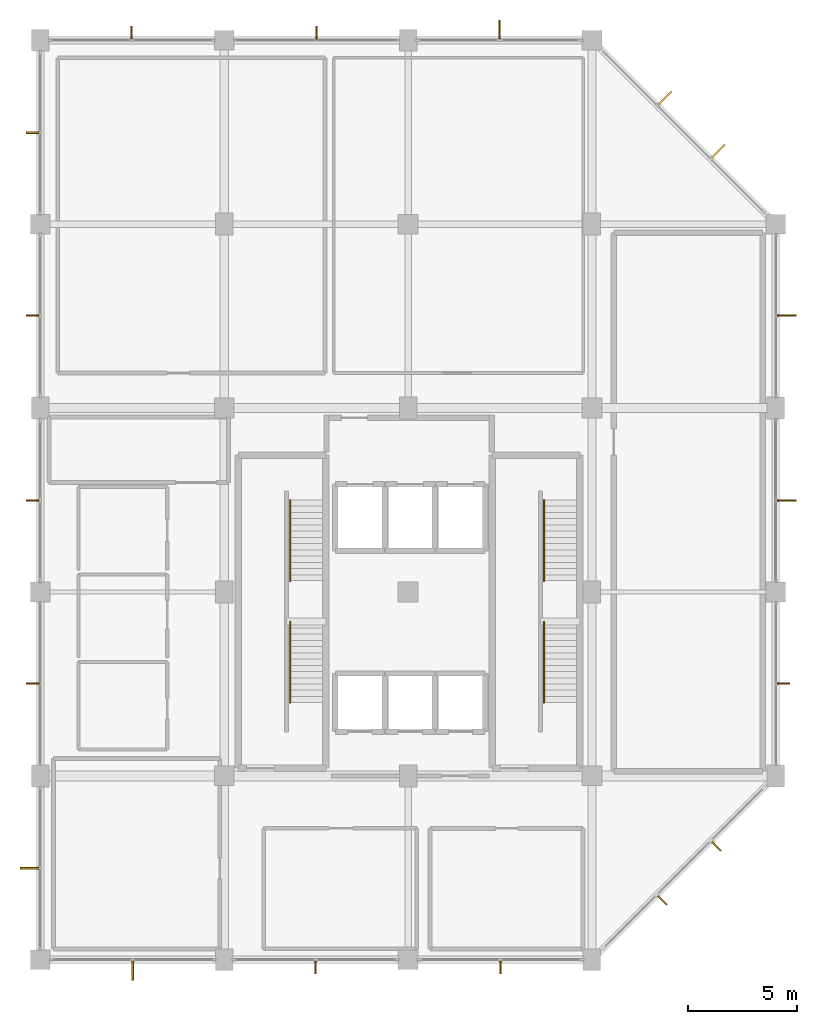
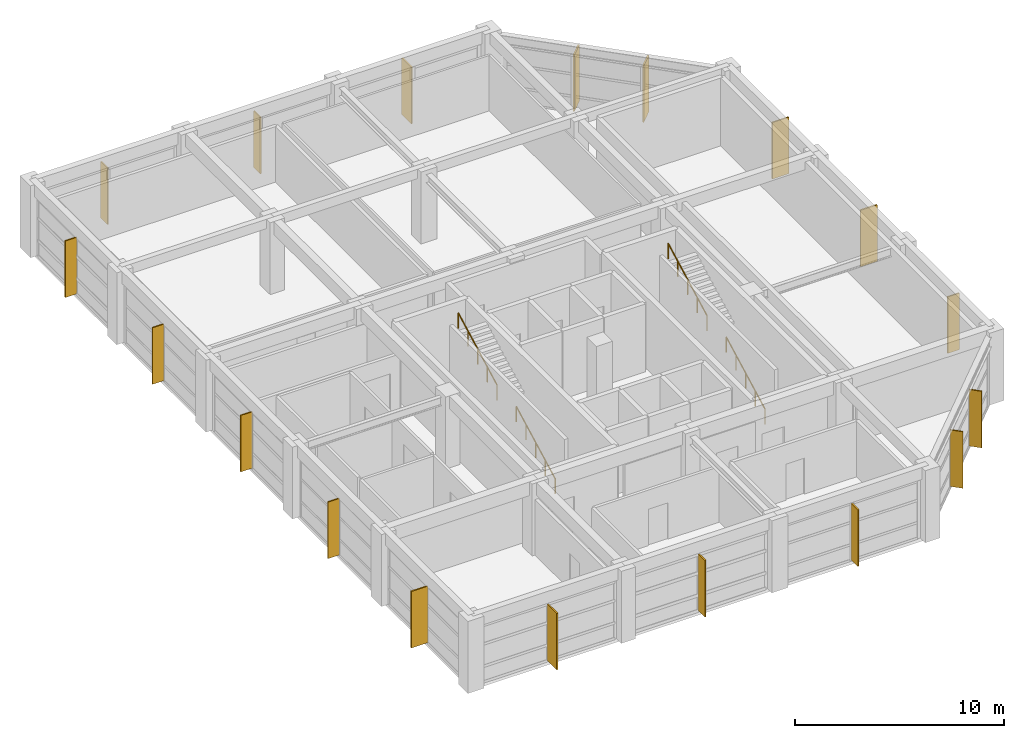
# One storey, part 12 of 12: 18 shading devices, 4 railings.
"""IFC4 building model written with IfcOpenShell, lengths in metres."""

from ifc_helpers import new_model, si_unit, direction, frame, origin, origin_2d, place, context, subcontext, project, spatial, rectangle, circle, extrude, material, type_object, element, save


model = new_model("IFC4")

# Units and contexts
model_context = context("Model", 3, precision=1e-05, world=origin(), true_north=direction((0.0, 1.0)))
body_context = subcontext(model_context, "Body", "Model", "MODEL_VIEW")
ifc_project = project(units=[si_unit("LENGTHUNIT", "METRE"), si_unit("AREAUNIT", "SQUARE_METRE"), si_unit("VOLUMEUNIT", "CUBIC_METRE"), si_unit("PLANEANGLEUNIT", "RADIAN"), si_unit("MASSUNIT", "GRAM", prefix="KILO")], contexts=[model_context])

# Site, building, storey
site_placement = place(None, origin())
site = spatial("IfcSite", under=ifc_project, at=site_placement, CompositionType="ELEMENT")
building_placement = place(site_placement, origin())
building = spatial("IfcBuilding", under=site, at=building_placement, Name="Xuanlan Plaza Opera House", CompositionType="ELEMENT")
storey_placement = place(building_placement, frame((0.0, 0.0, 61.5)))
storey = spatial("IfcBuildingStorey", under=building, at=storey_placement, Name="L14", CompositionType="ELEMENT", Elevation=61.5)

# Shading devices
ifc_material_1 = material(Name="Anodised Aluminium 6063-T6", Category="aluminium")
shading_device_type_1 = type_object("IfcShadingDeviceType", Name="ENV-SHD-BRS01", PredefinedType="JALOUSIE", material=ifc_material_1)
for number, where, z_axis, x_axis, name in (
    (1, (138.574951171875, 41.675048828125, 0.0400390625), (0.0, 0.0, 1.0), (0.0, -1.0, 0.0), "Parametric Sunshade Fin L14-0440"),
    (2, (147.02490234375, 41.675048828125, 0.0400390625), (0.0, 0.0, 1.0), (0.0, -1.0, 0.0), "Parametric Sunshade Fin L14-0441"),
    (3, (154.39599609375, 44.736572265625, 0.0400390625), (0.0, 0.0, 1.0), (0.707106781187, -0.707106781187, 0.0), "Parametric Sunshade Fin L14-0442"),
    (4, (156.863525390625, 47.203857421875, 0.0400390625), (0.0, 0.0, 1.0), (0.707106781187, -0.707106781187, 0.0), "Parametric Sunshade Fin L14-0443"),
    (5, (159.925048828125, 54.625, 0.0400390625), (0.0, 0.0, 1.0), (1.0, 0.0, 0.0), "Parametric Sunshade Fin L14-0444"),
    (6, (138.625, 84.324951171875, 0.0400390625), (0.0, 0.0, 1.0), (0.0, 1.0, 0.0), "Parametric Sunshade Fin L14-0450"),
    (7, (130.175048828125, 84.324951171875, 0.0400390625), (0.0, 0.0, 1.0), (0.0, 1.0, 0.0), "Parametric Sunshade Fin L14-0451"),
    (8, (125.675048828125, 79.77490234375, 0.0400390625), (0.0, 0.0, 1.0), (-1.0, 0.0, 0.0), "Parametric Sunshade Fin L14-0452"),
    (9, (125.675048828125, 71.425048828125, 0.0400390625), (0.0, 0.0, 1.0), (-1.0, 0.0, 0.0), "Parametric Sunshade Fin L14-0453"),
    (10, (125.675048828125, 62.97509765625, 0.0400390625), (0.0, 0.0, 1.0), (-1.0, 0.0, 0.0), "Parametric Sunshade Fin L14-0454"),
    (11, (125.675048828125, 54.625, 0.0400390625), (0.0, 0.0, 1.0), (-1.0, 0.0, 0.0), "Parametric Sunshade Fin L14-0455"),
):
    element("IfcShadingDevice", number, at=place(storey_placement, frame(where, z_axis=z_axis, x_axis=x_axis)), inside=storey, type_object=shading_device_type_1, Name=name, PredefinedType="JALOUSIE", context=body_context, shape_type="SweptSolid", body=[
        extrude(rectangle(XDim=0.639892578125, YDim=0.070068359375, at=origin_2d()), origin(), (0.0, 0.0, 1.0), 3.300048828125),
    ])
shading_device_type_2 = type_object("IfcShadingDeviceType", Name="ENV-SHD-BRS02", PredefinedType="JALOUSIE", material=ifc_material_1)
for number, where, z_axis, x_axis, name in (
    (12, (130.22509765625, 41.534912109375, 0.0400390625), (0.0, 0.0, 1.0), (0.0, -1.0, 0.0), "Parametric Sunshade Fin L14-0439"),
    (13, (160.06494140625, 62.97509765625, 0.0400390625), (0.0, 0.0, 1.0), (1.0, 0.0, 0.0), "Parametric Sunshade Fin L14-0445"),
    (14, (160.06494140625, 71.425048828125, 0.0400390625), (0.0, 0.0, 1.0), (1.0, 0.0, 0.0), "Parametric Sunshade Fin L14-0446"),
    (15, (156.94580078125, 78.911865234375, 0.0400390625), (0.0, 0.0, 1.0), (0.707106781187, 0.707106781187, 0.0), "Parametric Sunshade Fin L14-0447"),
    (16, (154.51171875, 81.345703125, 0.0400390625), (0.0, 0.0, 1.0), (0.707106781187, 0.707106781187, 0.0), "Parametric Sunshade Fin L14-0448"),
    (17, (146.97509765625, 84.465087890625, 0.0400390625), (0.0, 0.0, 1.0), (0.0, 1.0, 0.0), "Parametric Sunshade Fin L14-0449"),
    (18, (125.534912109375, 46.175048828125, 0.0400390625), (0.0, 0.0, 1.0), (-1.0, 0.0, 0.0), "Parametric Sunshade Fin L14-0456"),
):
    element("IfcShadingDevice", number, at=place(storey_placement, frame(where, z_axis=z_axis, x_axis=x_axis)), inside=storey, type_object=shading_device_type_2, Name=name, PredefinedType="JALOUSIE", context=body_context, shape_type="SweptSolid", body=[
        extrude(rectangle(XDim=0.919921875, YDim=0.080078125, at=origin_2d()), origin(), (0.0, 0.0, 1.0), 3.300048828125),
    ])

# Railings
ifc_material_2 = material(Name="Stainless Steel S30408", Category="steel")
railing_type = type_object("IfcRailingType", Name="INT-RL-HR01", PredefinedType="HANDRAIL", material=ifc_material_2)
railing_1_placement = place(storey_placement, frame((137.409912109375, 53.739990234375, 0.14990234375)))
element("IfcRailing", 19, at=railing_1_placement, inside=storey, type_object=railing_type, Name="Stair Handrail ST-T1 L14 Flight 1", PredefinedType="HANDRAIL", context=body_context, shape_type="SweptSolid", body=[
    extrude(circle(Radius=0.02392578125, at=origin_2d()), frame((0.0, 0.0, 0.8759765625), z_axis=(0.0, 0.884903043767, 0.46577527106), x_axis=(-1.0, 0.0, 0.0)), (0.0, 0.0, 1.0), 4.18701171875),
    extrude(circle(Radius=0.02099609375, at=origin_2d()), origin(), (0.0, 0.0, 1.0), 0.851806640625),
    extrude(circle(Radius=0.02099609375, at=origin_2d()), frame((0.0, 0.92626953125, 0.487548828125)), (0.0, 0.0, 1.0), 0.851806640625),
    extrude(circle(Radius=0.02099609375, at=origin_2d()), frame((0.0, 1.8525390625, 0.97509765625)), (0.0, 0.0, 1.0), 0.851806640625),
    extrude(circle(Radius=0.02099609375, at=origin_2d()), frame((0.0, 2.77880859375, 1.462646484375)), (0.0, 0.0, 1.0), 0.851806640625),
    extrude(circle(Radius=0.02099609375, at=origin_2d()), frame((0.0, 3.705078125, 1.9501953125)), (0.0, 0.0, 1.0), 0.851806640625),
])
railing_2_placement = place(storey_placement, frame((137.409912109375, 59.294921875, 2.25)))
element("IfcRailing", 20, at=railing_2_placement, inside=storey, type_object=railing_type, Name="Stair Handrail ST-T1 L14 Flight 2", PredefinedType="HANDRAIL", context=body_context, shape_type="SweptSolid", body=[
    extrude(circle(Radius=0.02392578125, at=origin_2d()), frame((0.0, 0.0, 0.8759765625), z_axis=(0.0, 0.88492707638, 0.465729609848), x_axis=(-1.0, 0.0, 0.0)), (0.0, 0.0, 1.0), 4.186767578125),
    extrude(circle(Radius=0.02099609375, at=origin_2d()), origin(), (0.0, 0.0, 1.0), 0.851806640625),
    extrude(circle(Radius=0.02099609375, at=origin_2d()), frame((0.0, 0.92626953125, 0.487548828125)), (0.0, 0.0, 1.0), 0.851806640625),
    extrude(circle(Radius=0.02099609375, at=origin_2d()), frame((0.0, 1.8525390625, 0.97509765625)), (0.0, 0.0, 1.0), 0.851806640625),
    extrude(circle(Radius=0.02099609375, at=origin_2d()), frame((0.0, 2.77880859375, 1.46240234375)), (0.0, 0.0, 1.0), 0.851806640625),
    extrude(circle(Radius=0.02099609375, at=origin_2d()), frame((0.0, 3.705078125, 1.949951171875)), (0.0, 0.0, 1.0), 0.851806640625),
])
railing_3_placement = place(storey_placement, frame((149.010009765625, 53.739990234375, 0.14990234375)))
element("IfcRailing", 21, at=railing_3_placement, inside=storey, type_object=railing_type, Name="Stair Handrail ST-T2 L14 Flight 1", PredefinedType="HANDRAIL", context=body_context, shape_type="SweptSolid", body=[
    extrude(circle(Radius=0.02392578125, at=origin_2d()), frame((0.0, 0.0, 0.8759765625), z_axis=(0.0, 0.884903043767, 0.46577527106), x_axis=(-1.0, 0.0, 0.0)), (0.0, 0.0, 1.0), 4.18701171875),
    extrude(circle(Radius=0.02099609375, at=origin_2d()), origin(), (0.0, 0.0, 1.0), 0.851806640625),
    extrude(circle(Radius=0.02099609375, at=origin_2d()), frame((0.0, 0.92626953125, 0.487548828125)), (0.0, 0.0, 1.0), 0.851806640625),
    extrude(circle(Radius=0.02099609375, at=origin_2d()), frame((0.0, 1.8525390625, 0.97509765625)), (0.0, 0.0, 1.0), 0.851806640625),
    extrude(circle(Radius=0.02099609375, at=origin_2d()), frame((0.0, 2.77880859375, 1.462646484375)), (0.0, 0.0, 1.0), 0.851806640625),
    extrude(circle(Radius=0.02099609375, at=origin_2d()), frame((0.0, 3.705078125, 1.9501953125)), (0.0, 0.0, 1.0), 0.851806640625),
])
railing_4_placement = place(storey_placement, frame((149.010009765625, 59.294921875, 2.25)))
element("IfcRailing", 22, at=railing_4_placement, inside=storey, type_object=railing_type, Name="Stair Handrail ST-T2 L14 Flight 2", PredefinedType="HANDRAIL", context=body_context, shape_type="SweptSolid", body=[
    extrude(circle(Radius=0.02392578125, at=origin_2d()), frame((0.0, 0.0, 0.8759765625), z_axis=(0.0, 0.88492707638, 0.465729609848), x_axis=(-1.0, 0.0, 0.0)), (0.0, 0.0, 1.0), 4.186767578125),
    extrude(circle(Radius=0.02099609375, at=origin_2d()), origin(), (0.0, 0.0, 1.0), 0.851806640625),
    extrude(circle(Radius=0.02099609375, at=origin_2d()), frame((0.0, 0.92626953125, 0.487548828125)), (0.0, 0.0, 1.0), 0.851806640625),
    extrude(circle(Radius=0.02099609375, at=origin_2d()), frame((0.0, 1.8525390625, 0.97509765625)), (0.0, 0.0, 1.0), 0.851806640625),
    extrude(circle(Radius=0.02099609375, at=origin_2d()), frame((0.0, 2.77880859375, 1.46240234375)), (0.0, 0.0, 1.0), 0.851806640625),
    extrude(circle(Radius=0.02099609375, at=origin_2d()), frame((0.0, 3.705078125, 1.949951171875)), (0.0, 0.0, 1.0), 0.851806640625),
])

save(model, "model.ifc")
